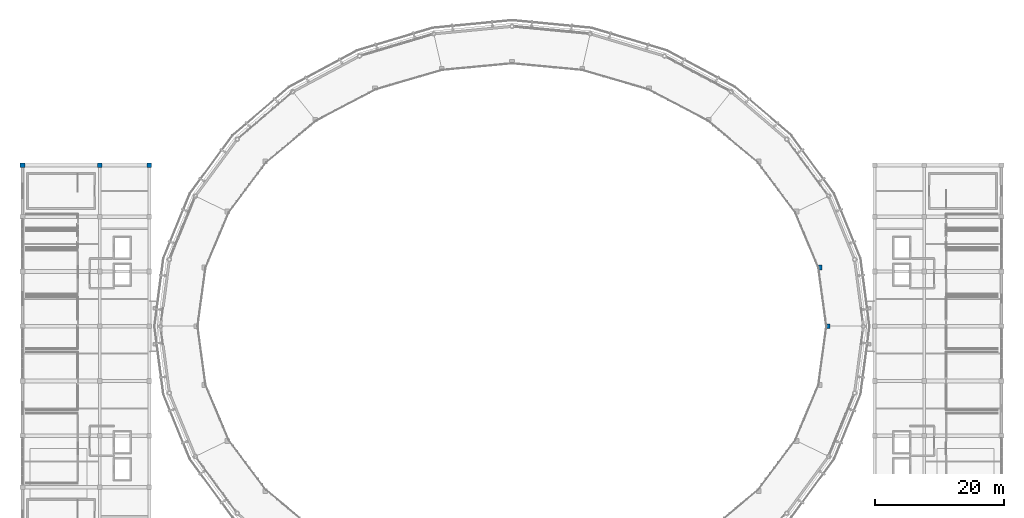
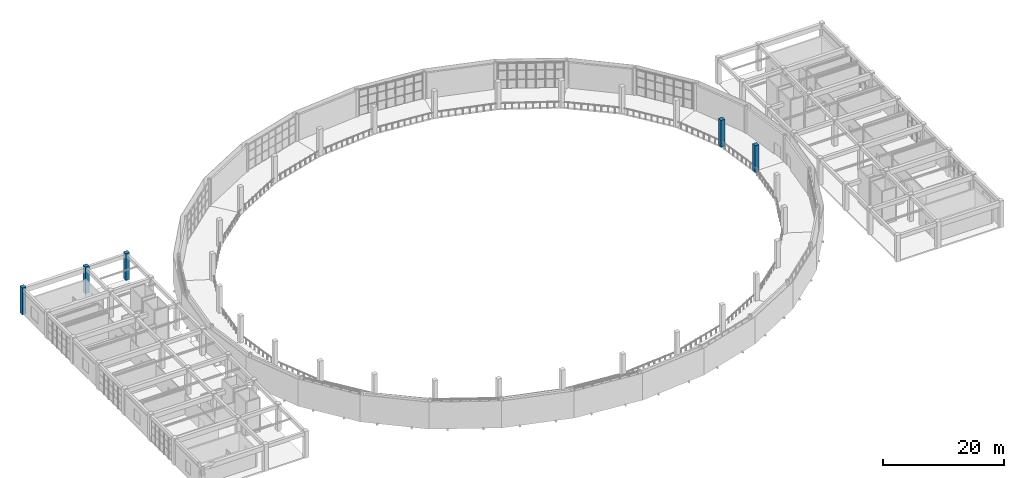
# One storey, part 4 of 40: 5 columns.
"""IFC4 building model written with IfcOpenShell, lengths in metres."""

import ifcopenshell
import ifcopenshell.guid

model = None  # the IFC model being written
_history = None  # IfcOwnerHistory: only IFC2X3 demands one
_inside = {}  # id of a spatial element -> (the spatial element, [elements in it])
_under = {}  # id of a project, library or spatial element -> (it, [spatial elements below it])
_declared = {}  # id of a project -> (the project, [libraries it declares])
_typed = {}  # id of a type object -> (the type object, [elements of that type])
_made_of = {}  # id of a material, layer set ... -> (it, [elements and type objects made of it])


def new_model(schema):
    """Start an empty IFC model of exactly this schema.

    Asked for "IFC4X3", IfcOpenShell would pick the latest addendum, in which some entities
    have other attributes; the version numbers below select the first issue.
    IFC2X3 requires an IfcOwnerHistory on every rooted entity: one is made here for all.
    """
    global model, _history
    if schema == "IFC4X3":
        model = ifcopenshell.file(schema_version=(4, 3, 0, 0))
    else:
        model = ifcopenshell.file(schema=schema)
    _inside.clear()
    _under.clear()
    _declared.clear()
    _typed.clear()
    _made_of.clear()
    _history = None
    if model.schema == "IFC2X3":
        org = make("IfcOrganization", Name="unknown")
        user = make(
            "IfcPersonAndOrganization",
            ThePerson=make("IfcPerson", FamilyName="unknown"),
            TheOrganization=org,
        )
        app = make(
            "IfcApplication",
            ApplicationDeveloper=org,
            Version="unknown",
            ApplicationFullName="unknown",
            ApplicationIdentifier="unknown",
        )
        _history = make(
            "IfcOwnerHistory",
            OwningUser=user,
            OwningApplication=app,
            ChangeAction="ADDED",
            CreationDate=0,
        )
    return model


def make(cls, **values):
    """One entity of the class cls with the attributes given. An attribute that is None is left unset."""
    return model.create_entity(
        cls, **{name: value for name, value in values.items() if value is not None}
    )


def rooted(cls, **values):
    """An entity with a GlobalId (a new one), such as an element, a storey or a relation."""
    return make(cls, GlobalId=ifcopenshell.guid.new(), OwnerHistory=_history, **values)


def si_unit(unit_type, name, prefix=None):
    """IfcSIUnit, for example si_unit("LENGTHUNIT", "METRE", prefix="MILLI")."""
    return make("IfcSIUnit", UnitType=unit_type, Prefix=prefix, Name=name)


def assignment(units):
    """IfcUnitAssignment: the units of a project."""
    return None if units is None else make("IfcUnitAssignment", Units=units)


def point(xyz):
    """IfcCartesianPoint."""
    return None if xyz is None else make("IfcCartesianPoint", Coordinates=xyz)


def direction(xyz):
    """IfcDirection."""
    return None if xyz is None else make("IfcDirection", DirectionRatios=xyz)


def frame(location, z_axis=None, x_axis=None):
    """IfcAxis2Placement3D, a coordinate frame: its origin and axes. An axis left out is left unset."""
    return make(
        "IfcAxis2Placement3D",
        Location=point(location),
        Axis=direction(z_axis),
        RefDirection=direction(x_axis),
    )


def frame_2d(location, x_axis=None):
    """IfcAxis2Placement2D, a coordinate frame in the plane: its origin and x axis."""
    return make(
        "IfcAxis2Placement2D", Location=point(location), RefDirection=direction(x_axis)
    )


def origin():
    """The frame at (0, 0, 0) with its axes left unset."""
    return frame((0.0, 0.0, 0.0))


def origin_2d():
    """The frame at (0, 0) in the plane with its x axis left unset."""
    return frame_2d((0.0, 0.0))


def place(relative_to, where):
    """IfcLocalPlacement: puts the frame where relative to a parent placement (None: the world)."""
    return make(
        "IfcLocalPlacement", PlacementRelTo=relative_to, RelativePlacement=where
    )


def context(
    kind, dimensions, precision=None, world=None, true_north=None, identifier=None
):
    """IfcGeometricRepresentationContext, for example the 3D "Model" context."""
    return make(
        "IfcGeometricRepresentationContext",
        ContextIdentifier=identifier,
        ContextType=kind,
        CoordinateSpaceDimension=dimensions,
        Precision=precision,
        WorldCoordinateSystem=world,
        TrueNorth=true_north,
    )


def subcontext(parent, identifier, kind, view, scale=None):
    """IfcGeometricRepresentationSubContext, for example "Body" below "Model"."""
    return make(
        "IfcGeometricRepresentationSubContext",
        ContextIdentifier=identifier,
        ContextType=kind,
        ParentContext=parent,
        TargetScale=scale,
        TargetView=view,
    )


def project(units=None, contexts=None):
    """IfcProject with its units and contexts."""
    return rooted(
        "IfcProject",
        Name="project",
        RepresentationContexts=contexts,
        UnitsInContext=assignment(units),
    )


def spatial(cls, under=None, at=None, **own):
    """A site, building, storey or space (cls), placed at a placement, below another one or the project."""
    s = rooted(cls, ObjectPlacement=at, **own)
    if under is not None:
        _under.setdefault(under.id(), (under, []))[1].append(s)
    return s


def profile(cls, at=None, kind="AREA", **sizes):
    """A parametric profile (cls). Its sizes go by their IFC names, for example OverallWidth=200.0."""
    return make(cls, ProfileType=kind, Position=at, **sizes)


def rectangle(**sizes):
    """IfcRectangleProfileDef."""
    return profile("IfcRectangleProfileDef", **sizes)


def extrude(swept, where, along, depth):
    """IfcExtrudedAreaSolid: the profile swept, set in the frame where, extruded along a direction by depth."""
    return make(
        "IfcExtrudedAreaSolid",
        SweptArea=swept,
        Position=where,
        ExtrudedDirection=direction(along),
        Depth=depth,
    )


def shape(context_of_items, identifier, shape_type, items):
    """IfcShapeRepresentation: the items that make up one representation, for example the "Body"."""
    return make(
        "IfcShapeRepresentation",
        ContextOfItems=context_of_items,
        RepresentationIdentifier=identifier,
        RepresentationType=shape_type,
        Items=items,
    )


def material(Name=None, Category=None):
    """IfcMaterial."""
    return make("IfcMaterial", Name=Name, Category=Category)


def material_profile(
    of_material, cross_section, Name=None, Category=None, Priority=None
):
    """IfcMaterialProfile: a cross section and its material."""
    return make(
        "IfcMaterialProfile",
        Name=Name,
        Material=of_material,
        Profile=cross_section,
        Priority=Priority,
        Category=Category,
    )


def profile_set(profiles, Name=None, composite=None):
    """IfcMaterialProfileSet."""
    return make(
        "IfcMaterialProfileSet",
        Name=Name,
        MaterialProfiles=profiles,
        CompositeProfile=composite,
    )


def made_of(thing, what):
    """Note that an element or type object is made of a material, layer set ...; save() writes the relation."""
    if what is not None:
        _made_of.setdefault(what.id(), (what, []))[1].append(thing)
    return thing


def type_object(cls, material=None, **own):
    """A type object (cls), such as IfcWallType, which elements share."""
    return made_of(rooted(cls, **own), material)


def element(
    cls,
    number,
    at=None,
    inside=None,
    cuts=None,
    type_object=None,
    material=None,
    context=None,
    identifier="Body",
    shape_type=None,
    held_by="IfcProductDefinitionShape",
    body=None,
    shapes=None,
    **own,
):
    """One element of the class cls, such as IfcWall. Its Tag is "e" and its number.

    at: its placement. inside: the storey or other place that contains it. cuts: it is an
    opening in that element (IfcRelVoidsElement). A single representation is given by context,
    identifier, shape_type and body (its items); several are given by shapes. held_by: the class
    of the entity that holds the representations. save() writes the other relations.
    """
    e = rooted(cls, Tag="e%d" % number, ObjectPlacement=at, **own)
    if body is not None:
        shapes = [shape(context, identifier, shape_type, body)]
    if shapes is not None:
        e.Representation = make(held_by, Representations=shapes)
    if inside is not None:
        _inside.setdefault(inside.id(), (inside, []))[1].append(e)
    if cuts is not None:
        rooted(
            "IfcRelVoidsElement", RelatingBuildingElement=cuts, RelatedOpeningElement=e
        )
    if type_object is not None:
        _typed.setdefault(type_object.id(), (type_object, []))[1].append(e)
    return made_of(e, material)


def aggregate(whole, parts):
    """IfcRelAggregates: a whole, such as a stair, and the parts it consists of."""
    return rooted("IfcRelAggregates", RelatingObject=whole, RelatedObjects=parts)


def save(model, path):
    """Write the relations noted so far, then the file.

    IfcRelAggregates (storeys below a building ...), IfcRelContainedInSpatialStructure (elements
    in a storey), IfcRelDefinesByType, IfcRelAssociatesMaterial and IfcRelDeclares: one each for
    every whole, place, type object, material and project.
    """
    for whole, parts in _under.values():
        aggregate(whole, parts)
    for where, things in _inside.values():
        rooted(
            "IfcRelContainedInSpatialStructure",
            RelatedElements=things,
            RelatingStructure=where,
        )
    for kind, things in _typed.values():
        rooted("IfcRelDefinesByType", RelatedObjects=things, RelatingType=kind)
    for what, things in _made_of.values():
        rooted("IfcRelAssociatesMaterial", RelatedObjects=things, RelatingMaterial=what)
    for by, libraries in _declared.values():
        rooted("IfcRelDeclares", RelatingContext=by, RelatedDefinitions=libraries)
    model.write(path)


model = new_model("IFC4")

# Units and contexts
model_context = context("Model", 3, precision=1e-05, world=origin(), true_north=direction((0.0, 1.0)))
body_context = subcontext(model_context, "Body", "Model", "MODEL_VIEW")
ifc_project = project(units=[si_unit("LENGTHUNIT", "METRE"), si_unit("AREAUNIT", "SQUARE_METRE"), si_unit("VOLUMEUNIT", "CUBIC_METRE"), si_unit("PLANEANGLEUNIT", "RADIAN"), si_unit("MASSUNIT", "GRAM", prefix="KILO")], contexts=[model_context])

# Site, building, storey
site_placement = place(None, origin())
site = spatial("IfcSite", under=ifc_project, at=site_placement, CompositionType="ELEMENT")
building_placement = place(site_placement, origin())
building = spatial("IfcBuilding", under=site, at=building_placement, Name="Cuetzalor Civic Arena", CompositionType="ELEMENT")
storey_placement = place(building_placement, frame((0.0, 0.0, 26.39990234375)))
storey = spatial("IfcBuildingStorey", under=building, at=storey_placement, Name="L05", CompositionType="ELEMENT", Elevation=26.39990234375)

# Columns
ifc_material = material(Name="Concrete C40/50", Category="concrete")
ifc_material_profile = material_profile(ifc_material, rectangle(XDim=0.75, YDim=0.75, at=origin_2d()), Name="RC 750x750")
ifc_profile_set = profile_set([ifc_material_profile], Name="Concrete C40/50")
column_type = type_object("IfcColumnType", Name="ConcreteColumn_750", PredefinedType="COLUMN", material=ifc_profile_set)
for number, where, z_axis, x_axis, name in (
    (1, (49.0, 0.0, 0.0), (0.0, 0.0, 1.0), (1.0, 0.0, 0.0), "Column V1-REC-01 L05"),
    (2, (47.771484375, 9.123291015625, 0.0), (0.0, 0.0, 1.0), (1.0, 0.0, 0.0), "Column V1-REC-02 L05"),
    (3, (-76.0, 25.0, 0.0), (0.0, 0.0, 1.0), (1.0, 0.0, 0.0), "Column V4W-C-02-10 L05"),
    (4, (-64.0, 25.0, 0.0), (0.0, 0.0, 1.0), (1.0, 0.0, 0.0), "Column V4W-C-03-10 L05"),
    (5, (-56.300048828125, 25.0, 0.0), (0.0, 0.0, 1.0), (1.0, 0.0, 0.0), "Column V4W-C-04-10 L05"),
):
    element("IfcColumn", number, at=place(storey_placement, frame(where, z_axis=z_axis, x_axis=x_axis)), inside=storey, type_object=column_type, Name=name, PredefinedType="COLUMN", context=body_context, shape_type="SweptSolid", body=[
        extrude(rectangle(XDim=0.75, YDim=0.75, at=origin_2d()), origin(), (0.0, 0.0, 1.0), 5.400146484375),
    ])

save(model, "model.ifc")
